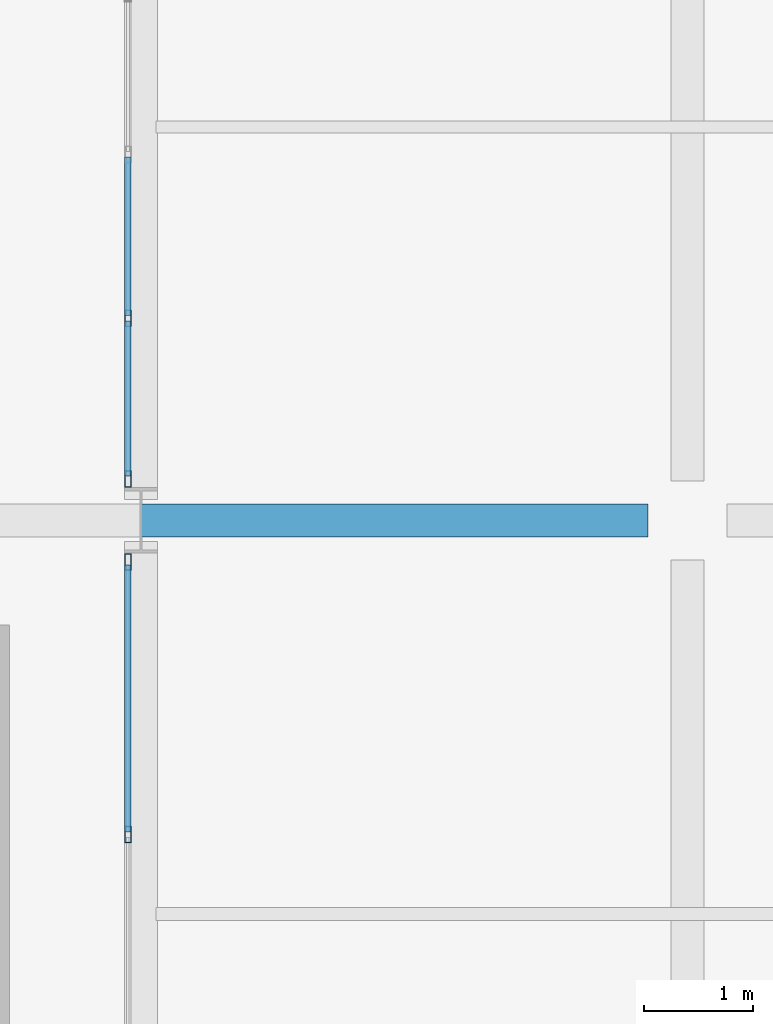
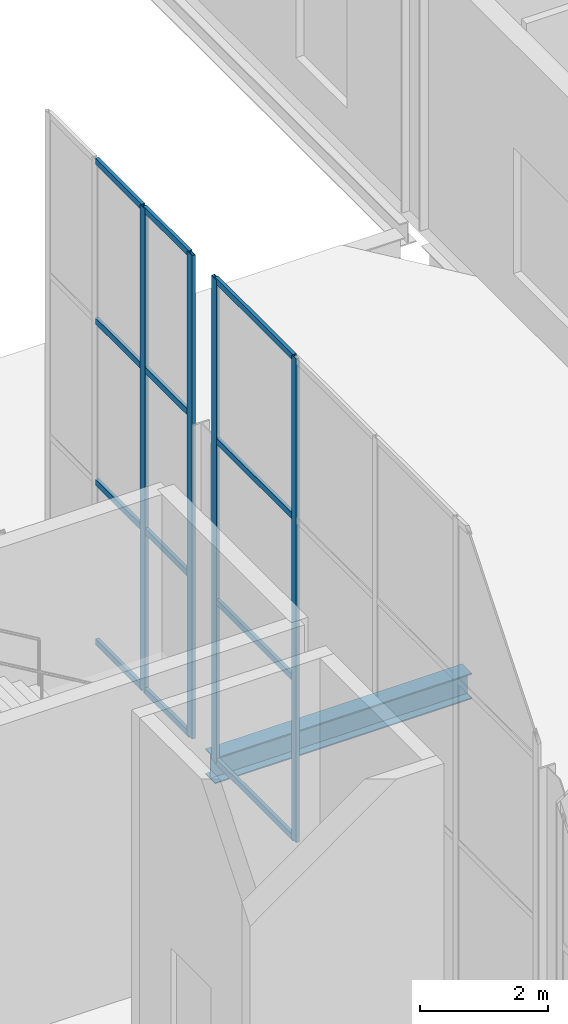
# One storey, part 122 of 191: 16 members, 1 beam, 2 elements without a shape of their own.
"""IFC4 building model written with IfcOpenShell, lengths in metres."""

from ifc_helpers import new_model, si_unit, direction, frame, origin, origin_2d, place, context, subcontext, project, spatial, hollow_rectangle, i_section, extrude, material, layer, layer_set, material_profile, profile_set, type_object, element, aggregate, save


model = new_model("IFC4")

# Units and contexts
model_context = context("Model", 3, precision=1e-05, world=origin(), true_north=direction((0.0, 1.0)))
body_context = subcontext(model_context, "Body", "Model", "MODEL_VIEW")
ifc_project = project(units=[si_unit("LENGTHUNIT", "METRE"), si_unit("AREAUNIT", "SQUARE_METRE"), si_unit("VOLUMEUNIT", "CUBIC_METRE"), si_unit("PLANEANGLEUNIT", "RADIAN"), si_unit("MASSUNIT", "GRAM", prefix="KILO")], contexts=[model_context])

# Site, building, storey
site_placement = place(None, origin())
site = spatial("IfcSite", under=ifc_project, at=site_placement, CompositionType="ELEMENT")
building_placement = place(site_placement, origin())
building = spatial("IfcBuilding", under=site, at=building_placement, Name="Tamarisk Ironworks Central Station", CompositionType="ELEMENT")
storey_placement = place(building_placement, frame((0.0, 0.0, 6.60009765625)))
storey = spatial("IfcBuildingStorey", under=building, at=storey_placement, Name="L01", CompositionType="ELEMENT", Elevation=6.60009765625)

# Beam
ifc_material_1 = material(Name="Structural steel S355J2", Category="steel")
ifc_material_profile_1 = material_profile(ifc_material_1, i_section(OverallWidth=0.300048828125, OverallDepth=0.489990234375, WebThickness=0.011962890625, FlangeThickness=0.02294921875, at=origin_2d()), Name="HEA 500")
ifc_profile_set_1 = profile_set([ifc_material_profile_1], Name="Structural steel S355J2")
beam_type = type_object("IfcBeamType", Name="BM-G05", PredefinedType="BEAM", material=ifc_profile_set_1)
beam_placement = place(storey_placement, frame((108.00390625, 100.800048828125, -0.385009765625), z_axis=(1.0, 0.0, 0.0), x_axis=(0.0, 1.0, 0.0)))
element("IfcBeam", 1, at=beam_placement, inside=storey, type_object=beam_type, Name="L01 primary girder X-0119", PredefinedType="BEAM", context=body_context, shape_type="SweptSolid", body=[
    extrude(i_section(OverallWidth=0.300048828125, OverallDepth=0.489990234375, WebThickness=0.011962890625, FlangeThickness=0.02294921875, at=origin_2d()), origin(), (0.0, 0.0, 1.0), 4.633056640625),
])

# Curtain wall, members
ifc_material_2 = material(Name="Anodized aluminium alloy 6063-T6", Category="aluminium")
ifc_layer_1 = layer(ifc_material_2, 0.179931640625)
ifc_layer_set_1 = layer_set([ifc_layer_1], Name="Anodized aluminium alloy 6063-T6")
curtain_wall_type_1 = type_object("IfcCurtainWallType", Name="CW-08", PredefinedType="USERDEFINED", material=ifc_layer_set_1)
curtain_wall_1_placement = place(storey_placement, origin())
curtain_wall_1 = element("IfcCurtainWall", 2, at=curtain_wall_1_placement, inside=storey, type_object=curtain_wall_type_1, Name="Concourse E track-overlook curtain wall 07", ObjectType="GLAZED CURTAIN WALL", PredefinedType="USERDEFINED")
ifc_material_profile_2 = material_profile(ifc_material_2, hollow_rectangle(XDim=0.06005859375, YDim=0.14990234375, WallThickness=0.00341796875, at=origin_2d()), Name="ALUM 150x60")
ifc_profile_set_2 = profile_set([ifc_material_profile_2], Name="Anodized aluminium alloy 6063-T6")
member_type_1 = type_object("IfcMemberType", Name="CWM-03", PredefinedType="MULLION", material=ifc_profile_set_2)
member_1_placement = place(storey_placement, frame((107.8798828125, 97.925048828125, 0.0), z_axis=(0.0, 0.0, 1.0), x_axis=(-1.0, 0.0, 0.0)))
member_1 = element("IfcMember", 3, at=member_1_placement, type_object=member_type_1, Name="CW08 mullion 4", PredefinedType="MULLION", context=body_context, shape_type="SweptSolid", body=[
    extrude(hollow_rectangle(XDim=0.06005859375, YDim=0.14990234375, WallThickness=0.00341796875, at=origin_2d()), origin(), (0.0, 0.0, 1.0), 9.219970703125),
])
member_2_placement = place(storey_placement, frame((107.8798828125, 100.419921875, 0.0), z_axis=(0.0, 0.0, 1.0), x_axis=(-1.0, 0.0, 0.0)))
member_2 = element("IfcMember", 4, at=member_2_placement, type_object=member_type_1, Name="CW08 mullion 5", PredefinedType="MULLION", context=body_context, shape_type="SweptSolid", body=[
    extrude(hollow_rectangle(XDim=0.06005859375, YDim=0.14990234375, WallThickness=0.00341796875, at=origin_2d()), origin(), (0.0, 0.0, 1.0), 9.219970703125),
])

ifc_layer_2 = layer(ifc_material_2, 0.179931640625)
ifc_layer_set_2 = layer_set([ifc_layer_2], Name="Anodized aluminium alloy 6063-T6")
curtain_wall_type_2 = type_object("IfcCurtainWallType", Name="CW-05", PredefinedType="USERDEFINED", material=ifc_layer_set_2)
curtain_wall_2_placement = place(storey_placement, origin())
curtain_wall_2 = element("IfcCurtainWall", 5, at=curtain_wall_2_placement, inside=storey, type_object=curtain_wall_type_2, Name="Concourse E track-overlook curtain wall 08", ObjectType="GLAZED CURTAIN WALL", PredefinedType="USERDEFINED")
member_3_placement = place(storey_placement, frame((107.8798828125, 101.179931640625, 0.0), z_axis=(0.0, 0.0, 1.0), x_axis=(-1.0, 0.0, 0.0)))
member_3 = element("IfcMember", 6, at=member_3_placement, type_object=member_type_1, Name="CW05 mullion 1", PredefinedType="MULLION", context=body_context, shape_type="SweptSolid", body=[
    extrude(hollow_rectangle(XDim=0.06005859375, YDim=0.14990234375, WallThickness=0.00341796875, at=origin_2d()), origin(), (0.0, 0.0, 1.0), 9.219970703125),
])
member_4_placement = place(storey_placement, frame((107.8798828125, 102.64990234375, 0.0), z_axis=(0.0, 0.0, 1.0), x_axis=(-1.0, 0.0, 0.0)))
member_4 = element("IfcMember", 7, at=member_4_placement, type_object=member_type_1, Name="CW05 mullion 2", PredefinedType="MULLION", context=body_context, shape_type="SweptSolid", body=[
    extrude(hollow_rectangle(XDim=0.06005859375, YDim=0.14990234375, WallThickness=0.00341796875, at=origin_2d()), origin(), (0.0, 0.0, 1.0), 9.219970703125),
])

# Member
ifc_material_profile_3 = material_profile(ifc_material_2, hollow_rectangle(XDim=0.06005859375, YDim=0.114990234375, WallThickness=0.00341796875, at=origin_2d()), Name="ALUM 115x60")
ifc_profile_set_3 = profile_set([ifc_material_profile_3], Name="Anodized aluminium alloy 6063-T6")
member_type_2 = type_object("IfcMemberType", Name="CWT-03", PredefinedType="USERDEFINED", material=ifc_profile_set_3)
member_5_placement = place(storey_placement, frame((107.8798828125, 97.950927734375, 0.02978515625), z_axis=(0.0, 1.0, 0.0), x_axis=(-1.0, 0.0, 0.0)))
member_5 = element("IfcMember", 8, at=member_5_placement, type_object=member_type_2, Name="CW08 transom 4.1", ObjectType="TRANSOM", PredefinedType="USERDEFINED", context=body_context, shape_type="SweptSolid", body=[
    extrude(hollow_rectangle(XDim=0.06005859375, YDim=0.114990234375, WallThickness=0.00341796875, at=origin_2d()), origin(), (0.0, 0.0, 1.0), 2.443115234375),
])

member_6_placement = place(storey_placement, frame((107.8798828125, 97.950927734375, 3.0732421875), z_axis=(0.0, 1.0, 0.0), x_axis=(-1.0, 0.0, 0.0)))
member_6 = element("IfcMember", 9, at=member_6_placement, type_object=member_type_2, Name="CW08 transom 4.2", ObjectType="TRANSOM", PredefinedType="USERDEFINED", context=body_context, shape_type="SweptSolid", body=[
    extrude(hollow_rectangle(XDim=0.06005859375, YDim=0.114990234375, WallThickness=0.00341796875, at=origin_2d()), origin(), (0.0, 0.0, 1.0), 2.443115234375),
])

member_7_placement = place(storey_placement, frame((107.8798828125, 97.950927734375, 6.146484375), z_axis=(0.0, 1.0, 0.0), x_axis=(-1.0, 0.0, 0.0)))
member_7 = element("IfcMember", 10, at=member_7_placement, type_object=member_type_2, Name="CW08 transom 4.3", ObjectType="TRANSOM", PredefinedType="USERDEFINED", context=body_context, shape_type="SweptSolid", body=[
    extrude(hollow_rectangle(XDim=0.06005859375, YDim=0.114990234375, WallThickness=0.00341796875, at=origin_2d()), origin(), (0.0, 0.0, 1.0), 2.443115234375),
])

member_8_placement = place(storey_placement, frame((107.8798828125, 97.950927734375, 9.18994140625), z_axis=(0.0, 1.0, 0.0), x_axis=(-1.0, 0.0, 0.0)))
member_8 = element("IfcMember", 11, at=member_8_placement, type_object=member_type_2, Name="CW08 transom 4.4", ObjectType="TRANSOM", PredefinedType="USERDEFINED", context=body_context, shape_type="SweptSolid", body=[
    extrude(hollow_rectangle(XDim=0.06005859375, YDim=0.114990234375, WallThickness=0.00341796875, at=origin_2d()), origin(), (0.0, 0.0, 1.0), 2.443115234375),
])

aggregate(curtain_wall_1, [member_1, member_2, member_5, member_6, member_7, member_8])

member_9_placement = place(storey_placement, frame((107.8798828125, 101.2060546875, 0.02978515625), z_axis=(0.0, 1.0, 0.0), x_axis=(-1.0, 0.0, 0.0)))
member_9 = element("IfcMember", 12, at=member_9_placement, type_object=member_type_2, Name="CW05 transom 1.1", ObjectType="TRANSOM", PredefinedType="USERDEFINED", context=body_context, shape_type="SweptSolid", body=[
    extrude(hollow_rectangle(XDim=0.06005859375, YDim=0.114990234375, WallThickness=0.00341796875, at=origin_2d()), origin(), (0.0, 0.0, 1.0), 1.41796875),
])

member_10_placement = place(storey_placement, frame((107.8798828125, 101.2060546875, 3.0732421875), z_axis=(0.0, 1.0, 0.0), x_axis=(-1.0, 0.0, 0.0)))
member_10 = element("IfcMember", 13, at=member_10_placement, type_object=member_type_2, Name="CW05 transom 1.2", ObjectType="TRANSOM", PredefinedType="USERDEFINED", context=body_context, shape_type="SweptSolid", body=[
    extrude(hollow_rectangle(XDim=0.06005859375, YDim=0.114990234375, WallThickness=0.00341796875, at=origin_2d()), origin(), (0.0, 0.0, 1.0), 1.41796875),
])

member_11_placement = place(storey_placement, frame((107.8798828125, 101.2060546875, 6.146484375), z_axis=(0.0, 1.0, 0.0), x_axis=(-1.0, 0.0, 0.0)))
member_11 = element("IfcMember", 14, at=member_11_placement, type_object=member_type_2, Name="CW05 transom 1.3", ObjectType="TRANSOM", PredefinedType="USERDEFINED", context=body_context, shape_type="SweptSolid", body=[
    extrude(hollow_rectangle(XDim=0.06005859375, YDim=0.114990234375, WallThickness=0.00341796875, at=origin_2d()), origin(), (0.0, 0.0, 1.0), 1.41796875),
])

member_12_placement = place(storey_placement, frame((107.8798828125, 101.2060546875, 9.18994140625), z_axis=(0.0, 1.0, 0.0), x_axis=(-1.0, 0.0, 0.0)))
member_12 = element("IfcMember", 15, at=member_12_placement, type_object=member_type_2, Name="CW05 transom 1.4", ObjectType="TRANSOM", PredefinedType="USERDEFINED", context=body_context, shape_type="SweptSolid", body=[
    extrude(hollow_rectangle(XDim=0.06005859375, YDim=0.114990234375, WallThickness=0.00341796875, at=origin_2d()), origin(), (0.0, 0.0, 1.0), 1.41796875),
])

member_13_placement = place(storey_placement, frame((107.8798828125, 102.676025390625, 0.02978515625), z_axis=(0.0, 1.0, 0.0), x_axis=(-1.0, 0.0, 0.0)))
member_13 = element("IfcMember", 16, at=member_13_placement, type_object=member_type_2, Name="CW05 transom 2.1", ObjectType="TRANSOM", PredefinedType="USERDEFINED", context=body_context, shape_type="SweptSolid", body=[
    extrude(hollow_rectangle(XDim=0.06005859375, YDim=0.114990234375, WallThickness=0.00341796875, at=origin_2d()), origin(), (0.0, 0.0, 1.0), 1.447998046875),
])

member_14_placement = place(storey_placement, frame((107.8798828125, 102.676025390625, 3.0732421875), z_axis=(0.0, 1.0, 0.0), x_axis=(-1.0, 0.0, 0.0)))
member_14 = element("IfcMember", 17, at=member_14_placement, type_object=member_type_2, Name="CW05 transom 2.2", ObjectType="TRANSOM", PredefinedType="USERDEFINED", context=body_context, shape_type="SweptSolid", body=[
    extrude(hollow_rectangle(XDim=0.06005859375, YDim=0.114990234375, WallThickness=0.00341796875, at=origin_2d()), origin(), (0.0, 0.0, 1.0), 1.447998046875),
])

member_15_placement = place(storey_placement, frame((107.8798828125, 102.676025390625, 6.146484375), z_axis=(0.0, 1.0, 0.0), x_axis=(-1.0, 0.0, 0.0)))
member_15 = element("IfcMember", 18, at=member_15_placement, type_object=member_type_2, Name="CW05 transom 2.3", ObjectType="TRANSOM", PredefinedType="USERDEFINED", context=body_context, shape_type="SweptSolid", body=[
    extrude(hollow_rectangle(XDim=0.06005859375, YDim=0.114990234375, WallThickness=0.00341796875, at=origin_2d()), origin(), (0.0, 0.0, 1.0), 1.447998046875),
])

member_16_placement = place(storey_placement, frame((107.8798828125, 102.676025390625, 9.18994140625), z_axis=(0.0, 1.0, 0.0), x_axis=(-1.0, 0.0, 0.0)))
member_16 = element("IfcMember", 19, at=member_16_placement, type_object=member_type_2, Name="CW05 transom 2.4", ObjectType="TRANSOM", PredefinedType="USERDEFINED", context=body_context, shape_type="SweptSolid", body=[
    extrude(hollow_rectangle(XDim=0.06005859375, YDim=0.114990234375, WallThickness=0.00341796875, at=origin_2d()), origin(), (0.0, 0.0, 1.0), 1.447998046875),
])

aggregate(curtain_wall_2, [member_3, member_4, member_9, member_10, member_11, member_12, member_13, member_14, member_15, member_16])

save(model, "model.ifc")
